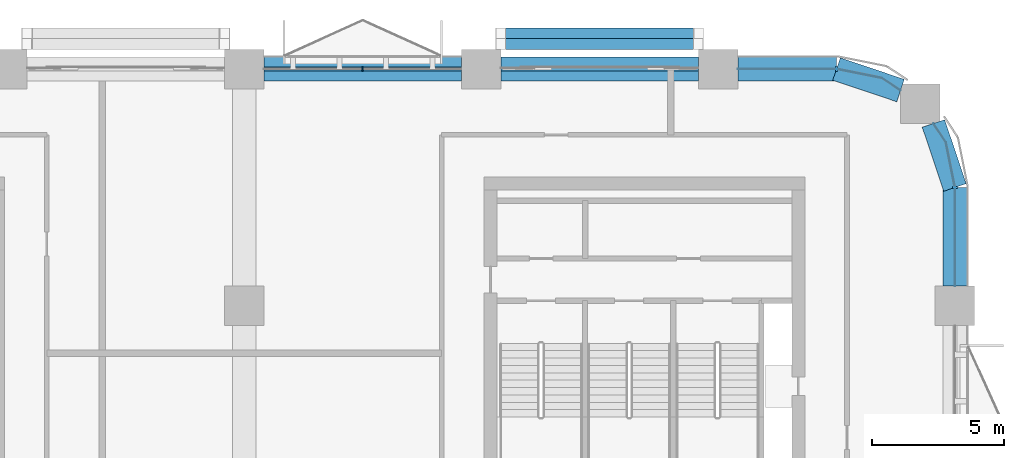
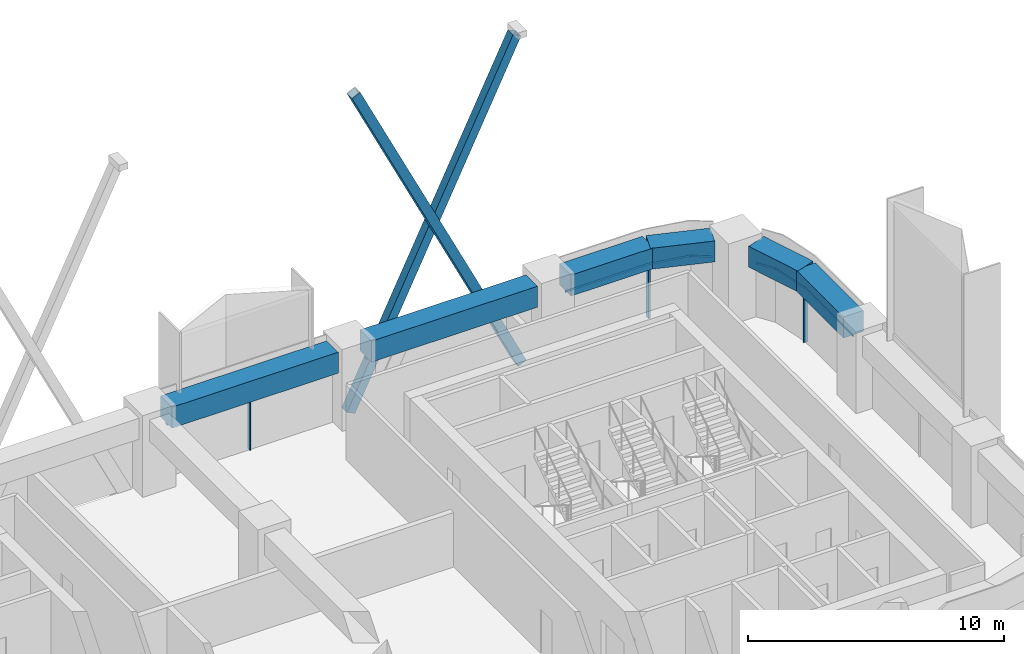
# One storey, part 6 of 14: 9 members, 6 beams, 4 elements without a shape of their own.
"""IFC4 building model written with IfcOpenShell, lengths in metres."""

from ifc_helpers import new_model, si_unit, direction, frame, origin, origin_2d, place, context, subcontext, project, spatial, polyline, rectangle, hollow_rectangle, outline, extrude, material, material_profile, profile_set, type_object, element, aggregate, save


model = new_model("IFC4")

# Units and contexts
model_context = context("Model", 3, precision=1e-05, world=origin(), true_north=direction((0.0, 1.0)))
body_context = subcontext(model_context, "Body", "Model", "MODEL_VIEW")
ifc_project = project(units=[si_unit("LENGTHUNIT", "METRE"), si_unit("AREAUNIT", "SQUARE_METRE"), si_unit("VOLUMEUNIT", "CUBIC_METRE"), si_unit("PLANEANGLEUNIT", "RADIAN"), si_unit("MASSUNIT", "GRAM", prefix="KILO")], contexts=[model_context])

# Site, building, storey
site_placement = place(None, origin())
site = spatial("IfcSite", under=ifc_project, at=site_placement, CompositionType="ELEMENT")
building_placement = place(site_placement, origin())
building = spatial("IfcBuilding", under=site, at=building_placement, Name="Tessera Arch", CompositionType="ELEMENT")
storey_placement = place(building_placement, frame((0.0, 0.0, 181.699951171875)))
storey = spatial("IfcBuildingStorey", under=building, at=storey_placement, Name="L43", CompositionType="ELEMENT", Elevation=181.699951171875)

# Members
ifc_material_1 = material(Name="Steel A500 Gr C", Category="steel")
ifc_material_profile_1 = material_profile(ifc_material_1, hollow_rectangle(XDim=0.406494140625, YDim=0.406494140625, WallThickness=0.0146484375, at=origin_2d()), Name="HSS16x16x5/8")
ifc_profile_set_1 = profile_set([ifc_material_profile_1], Name="Steel A500 Gr C")
member_type_1 = type_object("IfcMemberType", Name="Brace HSS16x16x5/8 Steel A500 Gr C", PredefinedType="BRACE", material=ifc_profile_set_1)
for number, where, z_axis, x_axis, name in (
    (1, (44.25, 54.953125, -0.800048828125), (-0.437845074659, 0.0, 0.899050438294), (0.0, -1.0, 0.0), "Brace N54.0-1 A L43-L46"),
    (2, (36.75, 55.359619140625, -0.800048828125), (0.437845074659, 0.0, 0.899050438294), (0.0, 1.0, 0.0), "Brace N54.0-1 B L43-L46"),
):
    element("IfcMember", number, at=place(storey_placement, frame(where, z_axis=z_axis, x_axis=x_axis)), inside=storey, type_object=member_type_1, Name=name, PredefinedType="BRACE", context=body_context, shape_type="SweptSolid", body=[
        extrude(hollow_rectangle(XDim=0.406494140625, YDim=0.406494140625, WallThickness=0.0146484375, at=origin_2d()), origin(), (0.0, 0.0, 1.0), 17.12939453125),
    ])

# Curtain wall, members
ifc_material_2 = material(Name="CW1 curtain wall")
curtain_wall_type_1 = type_object("IfcCurtainWallType", Name="CW1 curtain wall", PredefinedType="NOTDEFINED", material=ifc_material_2)
curtain_wall_1_placement = place(storey_placement, origin())
curtain_wall_1 = element("IfcCurtainWall", 3, at=curtain_wall_1_placement, inside=storey, type_object=curtain_wall_type_1, Name="CW1 curtain wall N54.0/2 L43", PredefinedType="NOTDEFINED")
ifc_material_3 = material(Name="Anodised aluminium pale metal", Category="aluminium")
ifc_material_profile_2 = material_profile(ifc_material_3, rectangle(XDim=0.159912109375, YDim=0.06005859375, at=origin_2d()), Name="AL 60x160")
ifc_profile_set_2 = profile_set([ifc_material_profile_2], Name="Anodised aluminium pale metal")
member_type_2 = type_object("IfcMemberType", Name="CW1 mullion", PredefinedType="MULLION", material=ifc_profile_set_2)
member_1_placement = place(storey_placement, frame((31.5, 54.0, 0.0), z_axis=(0.0, 0.0, 1.0), x_axis=(0.0, -1.0, 0.0)))
member_1 = element("IfcMember", 4, at=member_1_placement, type_object=member_type_2, Name="CW1 mullion N54.0/2 1", PredefinedType="MULLION", context=body_context, shape_type="SweptSolid", body=[
    extrude(rectangle(XDim=0.159912109375, YDim=0.06005859375, at=origin_2d()), origin(), (0.0, 0.0, 1.0), 2.5),
])
ifc_material_4 = material(Name="Anodised aluminium pale metal", Category="aluminium")
ifc_material_profile_3 = material_profile(ifc_material_4, rectangle(XDim=0.159912109375, YDim=0.10009765625, at=origin_2d()), Name="AL 160x100")
ifc_profile_set_3 = profile_set([ifc_material_profile_3], Name="Anodised aluminium pale metal")
member_type_3 = type_object("IfcMemberType", Name="CW1 transom", PredefinedType="USERDEFINED", material=ifc_profile_set_3)
member_2_placement = place(storey_placement, frame((35.25, 54.0, 2.550048828125), z_axis=(-1.0, 0.0, 0.0), x_axis=(0.0, -1.0, 0.0)))
member_2 = element("IfcMember", 5, at=member_2_placement, type_object=member_type_3, Name="CW1 transom N54.0/2 1.1", ObjectType="TRANSOM", PredefinedType="USERDEFINED", context=body_context, shape_type="SweptSolid", body=[
    extrude(rectangle(XDim=0.159912109375, YDim=0.10009765625, at=origin_2d()), origin(), (0.0, 0.0, 1.0), 7.5),
])
aggregate(curtain_wall_1, [member_1, member_2])

# Curtain wall, member
ifc_material_5 = material(Name="CW2 curtain wall")
curtain_wall_type_2 = type_object("IfcCurtainWallType", Name="CW2 curtain wall", PredefinedType="NOTDEFINED", material=ifc_material_5)
curtain_wall_2_placement = place(storey_placement, origin())
curtain_wall_2 = element("IfcCurtainWall", 6, at=curtain_wall_2_placement, inside=storey, type_object=curtain_wall_type_2, Name="CW2 curtain wall E54.27/1 L43", PredefinedType="NOTDEFINED")
ifc_material_6 = material(Name="Anodised aluminium pale metal", Category="aluminium")
ifc_material_profile_4 = material_profile(ifc_material_6, rectangle(XDim=0.199951171875, YDim=0.080078125, at=origin_2d()), Name="AL 80x200")
ifc_profile_set_4 = profile_set([ifc_material_profile_4], Name="Anodised aluminium pale metal")
member_type_4 = type_object("IfcMemberType", Name="CW2 mullion", PredefinedType="MULLION", material=ifc_profile_set_4)
member_3_placement = place(storey_placement, frame((54.0, 49.5, 0.0), z_axis=(0.0, 0.0, 1.0), x_axis=(-1.0, 0.0, 0.0)))
member_3 = element("IfcMember", 7, at=member_3_placement, type_object=member_type_4, Name="CW2 mullion E54.27/1 1", PredefinedType="MULLION", context=body_context, shape_type="SweptSolid", body=[
    extrude(rectangle(XDim=0.199951171875, YDim=0.080078125, at=origin_2d()), origin(), (0.0, 0.0, 1.0), 2.5),
])

curtain_wall_3_placement = place(storey_placement, origin())
curtain_wall_3 = element("IfcCurtainWall", 8, at=curtain_wall_3_placement, inside=storey, type_object=curtain_wall_type_2, Name="CW2 curtain wall N54.0/0 L43", PredefinedType="NOTDEFINED")
member_4_placement = place(storey_placement, frame((49.5, 54.0, 0.0), z_axis=(0.0, 0.0, 1.0), x_axis=(0.0, -1.0, 0.0)))
member_4 = element("IfcMember", 9, at=member_4_placement, type_object=member_type_4, Name="CW2 mullion N54.0/0 1", PredefinedType="MULLION", context=body_context, shape_type="SweptSolid", body=[
    extrude(rectangle(XDim=0.199951171875, YDim=0.080078125, at=origin_2d()), origin(), (0.0, 0.0, 1.0), 2.5),
])

# Member
ifc_material_7 = material(Name="Anodised aluminium pale metal", Category="aluminium")
ifc_material_profile_5 = material_profile(ifc_material_7, rectangle(XDim=0.199951171875, YDim=0.10009765625, at=origin_2d()), Name="AL 200x100")
ifc_profile_set_5 = profile_set([ifc_material_profile_5], Name="Anodised aluminium pale metal")
member_type_5 = type_object("IfcMemberType", Name="CW2 transom", PredefinedType="USERDEFINED", material=ifc_profile_set_5)
member_5_placement = place(storey_placement, frame((0.0, 0.0, 2.5)))
member_5 = element("IfcMember", 10, at=member_5_placement, type_object=member_type_5, Name="CW2 transom E54.27/1 1", ObjectType="TRANSOM", PredefinedType="USERDEFINED", context=body_context, shape_type="SweptSolid", body=[
    extrude(outline(polyline([(53.989990234375, 49.4990234375), (53.989990234375, 45.75), (54.010009765625, 45.75), (54.010009765625, 49.5009765625), (53.6669921875, 51.22607421875), (53.19140625, 51.9375), (53.1748046875, 51.926513671875), (53.648193359375, 51.21826171875), (53.989990234375, 49.4990234375)])), origin(), (0.0, 0.0, 1.0), 0.10009765625),
])

aggregate(curtain_wall_2, [member_3, member_5])

member_6_placement = place(storey_placement, frame((0.0, 0.0, 2.5)))
member_6 = element("IfcMember", 11, at=member_6_placement, type_object=member_type_5, Name="CW2 transom N54.0/0 1", ObjectType="TRANSOM", PredefinedType="USERDEFINED", context=body_context, shape_type="SweptSolid", body=[
    extrude(outline(polyline([(51.21826171875, 53.648193359375), (51.926513671875, 53.1748046875), (51.9375, 53.19140625), (51.22607421875, 53.6669921875), (49.5009765625, 54.010009765625), (45.75, 54.010009765625), (45.75, 53.989990234375), (49.4990234375, 53.989990234375), (51.21826171875, 53.648193359375)])), origin(), (0.0, 0.0, 1.0), 0.10009765625),
])

aggregate(curtain_wall_3, [member_4, member_6])

# Curtain wall, member
ifc_material_8 = material(Name="CW3 curtain wall")
curtain_wall_type_3 = type_object("IfcCurtainWallType", Name="CW3 curtain wall", PredefinedType="NOTDEFINED", material=ifc_material_8)
curtain_wall_4_placement = place(storey_placement, origin())
curtain_wall_4 = element("IfcCurtainWall", 12, at=curtain_wall_4_placement, inside=storey, type_object=curtain_wall_type_3, Name="CW3 curtain wall N54.0/1 L43", PredefinedType="NOTDEFINED")
ifc_material_9 = material(Name="Anodised aluminium pale metal", Category="aluminium")
ifc_material_profile_6 = material_profile(ifc_material_9, rectangle(XDim=0.139892578125, YDim=0.10009765625, at=origin_2d()), Name="AL 140x100")
ifc_profile_set_6 = profile_set([ifc_material_profile_6], Name="Anodised aluminium pale metal")
member_type_6 = type_object("IfcMemberType", Name="CW3 transom", PredefinedType="USERDEFINED", material=ifc_profile_set_6)
member_7_placement = place(storey_placement, frame((44.25, 54.0, 2.550048828125), z_axis=(-1.0, 0.0, 0.0), x_axis=(0.0, -1.0, 0.0)))
member_7 = element("IfcMember", 13, at=member_7_placement, type_object=member_type_6, Name="CW3 transom N54.0/1 1.1", ObjectType="TRANSOM", PredefinedType="USERDEFINED", context=body_context, shape_type="SweptSolid", body=[
    extrude(rectangle(XDim=0.139892578125, YDim=0.10009765625, at=origin_2d()), origin(), (0.0, 0.0, 1.0), 7.5),
])
aggregate(curtain_wall_4, [member_7])

# Beams
ifc_material_10 = material(Name="Concrete C70/85", Category="concrete")
ifc_material_profile_7 = material_profile(ifc_material_10, rectangle(XDim=0.89990234375, YDim=1.0, at=origin_2d()), Name="RC spandrel beam 900 x 1000 Concrete C70/85")
ifc_profile_set_7 = profile_set([ifc_material_profile_7], Name="Concrete C70/85")
beam_type = type_object("IfcBeamType", Name="RC spandrel beam 900 x 1000 Concrete C70/85", PredefinedType="BEAM", material=ifc_profile_set_7)
beam_1_placement = place(storey_placement, frame((54.0, 45.75, 3.10009765625), z_axis=(0.0, 1.0, 0.0), x_axis=(-1.0, 0.0, 0.0)))
element("IfcBeam", 14, at=beam_1_placement, inside=storey, type_object=beam_type, Name="Spandrel beam L43 E54.27/1.1", PredefinedType="BEAM", context=body_context, shape_type="SweptSolid", body=[
    extrude(rectangle(XDim=0.89990234375, YDim=1.0, at=origin_2d()), origin(), (0.0, 0.0, 1.0), 3.75),
])
for number, where, z_axis, x_axis, name in (
    (15, (54.0, 49.5, 3.10009765625), (-0.31842525032, 0.947947973234, 0.0), (-0.947947973234, -0.31842525032, 0.0), "Spandrel beam L43 E54.27/1.2"),
    (16, (51.931884765625, 53.18310546875, 3.10009765625), (-0.947947973234, 0.31842525032, 0.0), (-0.31842525032, -0.947947973234, 0.0), "Spandrel beam L43 N54.0/0.1"),
):
    element("IfcBeam", number, at=place(storey_placement, frame(where, z_axis=z_axis, x_axis=x_axis)), inside=storey, type_object=beam_type, Name=name, PredefinedType="BEAM", context=body_context, shape_type="SweptSolid", body=[
        extrude(rectangle(XDim=0.89990234375, YDim=1.0, at=origin_2d()), origin(), (0.0, 0.0, 1.0), 2.5654296875),
    ])
beam_2_placement = place(storey_placement, frame((49.5, 54.0, 3.10009765625), z_axis=(-1.0, 0.0, 0.0), x_axis=(0.0, -1.0, 0.0)))
element("IfcBeam", 17, at=beam_2_placement, inside=storey, type_object=beam_type, Name="Spandrel beam L43 N54.0/0.2", PredefinedType="BEAM", context=body_context, shape_type="SweptSolid", body=[
    extrude(rectangle(XDim=0.89990234375, YDim=1.0, at=origin_2d()), origin(), (0.0, 0.0, 1.0), 3.75),
])
for number, where, z_axis, x_axis, name in (
    (18, (44.25, 54.0, 3.10009765625), (-1.0, 0.0, 0.0), (0.0, -1.0, 0.0), "Spandrel beam L43 N54.0/1"),
    (19, (35.25, 54.0, 3.10009765625), (-1.0, 0.0, 0.0), (0.0, -1.0, 0.0), "Spandrel beam L43 N54.0/2"),
):
    element("IfcBeam", number, at=place(storey_placement, frame(where, z_axis=z_axis, x_axis=x_axis)), inside=storey, type_object=beam_type, Name=name, PredefinedType="BEAM", context=body_context, shape_type="SweptSolid", body=[
        extrude(rectangle(XDim=0.89990234375, YDim=1.0, at=origin_2d()), origin(), (0.0, 0.0, 1.0), 7.5),
    ])

save(model, "model.ifc")
